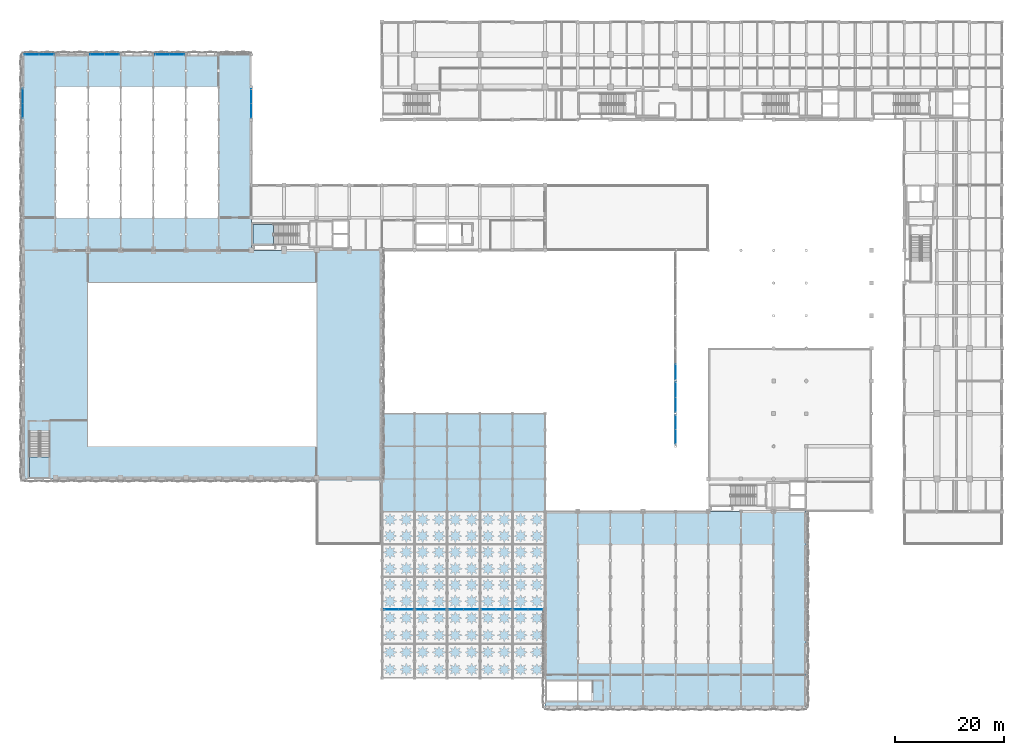
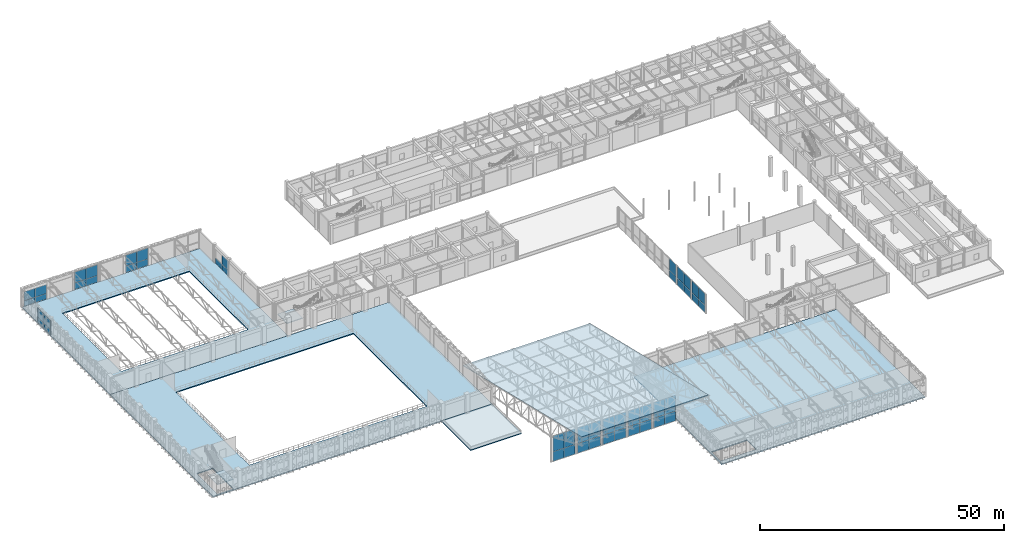
# One storey, part 87 of 123: 49 plates, 7 slabs, 15 elements without a shape of their own.
"""IFC4 building model written with IfcOpenShell, lengths in metres."""

import ifcopenshell
import ifcopenshell.guid

model = None  # the IFC model being written
_history = None  # IfcOwnerHistory: only IFC2X3 demands one
_inside = {}  # id of a spatial element -> (the spatial element, [elements in it])
_under = {}  # id of a project, library or spatial element -> (it, [spatial elements below it])
_declared = {}  # id of a project -> (the project, [libraries it declares])
_typed = {}  # id of a type object -> (the type object, [elements of that type])
_made_of = {}  # id of a material, layer set ... -> (it, [elements and type objects made of it])


def new_model(schema):
    """Start an empty IFC model of exactly this schema.

    Asked for "IFC4X3", IfcOpenShell would pick the latest addendum, in which some entities
    have other attributes; the version numbers below select the first issue.
    IFC2X3 requires an IfcOwnerHistory on every rooted entity: one is made here for all.
    """
    global model, _history
    if schema == "IFC4X3":
        model = ifcopenshell.file(schema_version=(4, 3, 0, 0))
    else:
        model = ifcopenshell.file(schema=schema)
    _inside.clear()
    _under.clear()
    _declared.clear()
    _typed.clear()
    _made_of.clear()
    _history = None
    if model.schema == "IFC2X3":
        org = make("IfcOrganization", Name="unknown")
        user = make(
            "IfcPersonAndOrganization",
            ThePerson=make("IfcPerson", FamilyName="unknown"),
            TheOrganization=org,
        )
        app = make(
            "IfcApplication",
            ApplicationDeveloper=org,
            Version="unknown",
            ApplicationFullName="unknown",
            ApplicationIdentifier="unknown",
        )
        _history = make(
            "IfcOwnerHistory",
            OwningUser=user,
            OwningApplication=app,
            ChangeAction="ADDED",
            CreationDate=0,
        )
    return model


def make(cls, **values):
    """One entity of the class cls with the attributes given. An attribute that is None is left unset."""
    return model.create_entity(
        cls, **{name: value for name, value in values.items() if value is not None}
    )


def rooted(cls, **values):
    """An entity with a GlobalId (a new one), such as an element, a storey or a relation."""
    return make(cls, GlobalId=ifcopenshell.guid.new(), OwnerHistory=_history, **values)


def si_unit(unit_type, name, prefix=None):
    """IfcSIUnit, for example si_unit("LENGTHUNIT", "METRE", prefix="MILLI")."""
    return make("IfcSIUnit", UnitType=unit_type, Prefix=prefix, Name=name)


def assignment(units):
    """IfcUnitAssignment: the units of a project."""
    return None if units is None else make("IfcUnitAssignment", Units=units)


def point(xyz):
    """IfcCartesianPoint."""
    return None if xyz is None else make("IfcCartesianPoint", Coordinates=xyz)


def direction(xyz):
    """IfcDirection."""
    return None if xyz is None else make("IfcDirection", DirectionRatios=xyz)


def frame(location, z_axis=None, x_axis=None):
    """IfcAxis2Placement3D, a coordinate frame: its origin and axes. An axis left out is left unset."""
    return make(
        "IfcAxis2Placement3D",
        Location=point(location),
        Axis=direction(z_axis),
        RefDirection=direction(x_axis),
    )


def frame_2d(location, x_axis=None):
    """IfcAxis2Placement2D, a coordinate frame in the plane: its origin and x axis."""
    return make(
        "IfcAxis2Placement2D", Location=point(location), RefDirection=direction(x_axis)
    )


def origin():
    """The frame at (0, 0, 0) with its axes left unset."""
    return frame((0.0, 0.0, 0.0))


def place(relative_to, where):
    """IfcLocalPlacement: puts the frame where relative to a parent placement (None: the world)."""
    return make(
        "IfcLocalPlacement", PlacementRelTo=relative_to, RelativePlacement=where
    )


def context(
    kind, dimensions, precision=None, world=None, true_north=None, identifier=None
):
    """IfcGeometricRepresentationContext, for example the 3D "Model" context."""
    return make(
        "IfcGeometricRepresentationContext",
        ContextIdentifier=identifier,
        ContextType=kind,
        CoordinateSpaceDimension=dimensions,
        Precision=precision,
        WorldCoordinateSystem=world,
        TrueNorth=true_north,
    )


def subcontext(parent, identifier, kind, view, scale=None):
    """IfcGeometricRepresentationSubContext, for example "Body" below "Model"."""
    return make(
        "IfcGeometricRepresentationSubContext",
        ContextIdentifier=identifier,
        ContextType=kind,
        ParentContext=parent,
        TargetScale=scale,
        TargetView=view,
    )


def project(units=None, contexts=None):
    """IfcProject with its units and contexts."""
    return rooted(
        "IfcProject",
        Name="project",
        RepresentationContexts=contexts,
        UnitsInContext=assignment(units),
    )


def spatial(cls, under=None, at=None, **own):
    """A site, building, storey or space (cls), placed at a placement, below another one or the project."""
    s = rooted(cls, ObjectPlacement=at, **own)
    if under is not None:
        _under.setdefault(under.id(), (under, []))[1].append(s)
    return s


def polyline(points):
    """IfcPolyline through the points."""
    return make("IfcPolyline", Points=[point(p) for p in points])


def profile(cls, at=None, kind="AREA", **sizes):
    """A parametric profile (cls). Its sizes go by their IFC names, for example OverallWidth=200.0."""
    return make(cls, ProfileType=kind, Position=at, **sizes)


def rectangle(**sizes):
    """IfcRectangleProfileDef."""
    return profile("IfcRectangleProfileDef", **sizes)


def outline(outer, holes=None, kind="AREA"):
    """IfcArbitraryClosedProfileDef: a profile drawn as a closed curve; with holes, ...WithVoids."""
    if holes is None:
        return make("IfcArbitraryClosedProfileDef", ProfileType=kind, OuterCurve=outer)
    return make(
        "IfcArbitraryProfileDefWithVoids",
        ProfileType=kind,
        OuterCurve=outer,
        InnerCurves=holes,
    )


def extrude(swept, where, along, depth):
    """IfcExtrudedAreaSolid: the profile swept, set in the frame where, extruded along a direction by depth."""
    return make(
        "IfcExtrudedAreaSolid",
        SweptArea=swept,
        Position=where,
        ExtrudedDirection=direction(along),
        Depth=depth,
    )


def shape(context_of_items, identifier, shape_type, items):
    """IfcShapeRepresentation: the items that make up one representation, for example the "Body"."""
    return make(
        "IfcShapeRepresentation",
        ContextOfItems=context_of_items,
        RepresentationIdentifier=identifier,
        RepresentationType=shape_type,
        Items=items,
    )


def material(Name=None, Category=None):
    """IfcMaterial."""
    return make("IfcMaterial", Name=Name, Category=Category)


def layer(
    of_material, thickness, ventilated=None, Name=None, Category=None, Priority=None
):
    """IfcMaterialLayer: one layer of a wall or slab, of a material (None: an air gap)."""
    return make(
        "IfcMaterialLayer",
        Material=of_material,
        LayerThickness=thickness,
        IsVentilated=ventilated,
        Name=Name,
        Category=Category,
        Priority=Priority,
    )


def layer_set(layers, Name=None):
    """IfcMaterialLayerSet."""
    return make("IfcMaterialLayerSet", MaterialLayers=layers, LayerSetName=Name)


def made_of(thing, what):
    """Note that an element or type object is made of a material, layer set ...; save() writes the relation."""
    if what is not None:
        _made_of.setdefault(what.id(), (what, []))[1].append(thing)
    return thing


def type_object(cls, material=None, **own):
    """A type object (cls), such as IfcWallType, which elements share."""
    return made_of(rooted(cls, **own), material)


def element(
    cls,
    number,
    at=None,
    inside=None,
    cuts=None,
    type_object=None,
    material=None,
    context=None,
    identifier="Body",
    shape_type=None,
    held_by="IfcProductDefinitionShape",
    body=None,
    shapes=None,
    **own,
):
    """One element of the class cls, such as IfcWall. Its Tag is "e" and its number.

    at: its placement. inside: the storey or other place that contains it. cuts: it is an
    opening in that element (IfcRelVoidsElement). A single representation is given by context,
    identifier, shape_type and body (its items); several are given by shapes. held_by: the class
    of the entity that holds the representations. save() writes the other relations.
    """
    e = rooted(cls, Tag="e%d" % number, ObjectPlacement=at, **own)
    if body is not None:
        shapes = [shape(context, identifier, shape_type, body)]
    if shapes is not None:
        e.Representation = make(held_by, Representations=shapes)
    if inside is not None:
        _inside.setdefault(inside.id(), (inside, []))[1].append(e)
    if cuts is not None:
        rooted(
            "IfcRelVoidsElement", RelatingBuildingElement=cuts, RelatedOpeningElement=e
        )
    if type_object is not None:
        _typed.setdefault(type_object.id(), (type_object, []))[1].append(e)
    return made_of(e, material)


def aggregate(whole, parts):
    """IfcRelAggregates: a whole, such as a stair, and the parts it consists of."""
    return rooted("IfcRelAggregates", RelatingObject=whole, RelatedObjects=parts)


def save(model, path):
    """Write the relations noted so far, then the file.

    IfcRelAggregates (storeys below a building ...), IfcRelContainedInSpatialStructure (elements
    in a storey), IfcRelDefinesByType, IfcRelAssociatesMaterial and IfcRelDeclares: one each for
    every whole, place, type object, material and project.
    """
    for whole, parts in _under.values():
        aggregate(whole, parts)
    for where, things in _inside.values():
        rooted(
            "IfcRelContainedInSpatialStructure",
            RelatedElements=things,
            RelatingStructure=where,
        )
    for kind, things in _typed.values():
        rooted("IfcRelDefinesByType", RelatedObjects=things, RelatingType=kind)
    for what, things in _made_of.values():
        rooted("IfcRelAssociatesMaterial", RelatedObjects=things, RelatingMaterial=what)
    for by, libraries in _declared.values():
        rooted("IfcRelDeclares", RelatingContext=by, RelatedDefinitions=libraries)
    model.write(path)


model = new_model("IFC4")

# Units and contexts
model_context = context("Model", 3, precision=1e-05, world=origin(), true_north=direction((0.0, 1.0)))
body_context = subcontext(model_context, "Body", "Model", "MODEL_VIEW")
ifc_project = project(units=[si_unit("LENGTHUNIT", "METRE"), si_unit("AREAUNIT", "SQUARE_METRE"), si_unit("VOLUMEUNIT", "CUBIC_METRE"), si_unit("PLANEANGLEUNIT", "RADIAN"), si_unit("MASSUNIT", "GRAM", prefix="KILO"), si_unit("THERMODYNAMICTEMPERATUREUNIT", "KELVIN"), si_unit("POWERUNIT", "WATT")], contexts=[model_context])

# Site, building, storey
site_placement = place(None, origin())
site = spatial("IfcSite", under=ifc_project, at=site_placement, CompositionType="ELEMENT")
building_placement = place(site_placement, origin())
building = spatial("IfcBuilding", under=site, at=building_placement, Name="Phaisarnlok Congress Hotel", CompositionType="ELEMENT")
storey_placement = place(building_placement, frame((0.0, 0.0, 15.0)))
storey = spatial("IfcBuildingStorey", under=building, at=storey_placement, Name="L03", CompositionType="ELEMENT", Elevation=15.0)

# Curtain wall, plates
ifc_material_1 = material(Name="Thermally Broken Unitised Aluminium & Low-E Glazing", Category="aluminium")
curtain_wall_type_1 = type_object("IfcCurtainWallType", Name="CW-UNIT-27", PredefinedType="NOTDEFINED", material=ifc_material_1)
curtain_wall_1_placement = place(storey_placement, origin())
curtain_wall_1 = element("IfcCurtainWall", 1, at=curtain_wall_1_placement, inside=storey, type_object=curtain_wall_type_1, Name="Unitised curtain wall CW-27 (L03)", PredefinedType="NOTDEFINED")
ifc_material_2 = material(Name="Double Low-E Insulated Glazing", Category="glass")
ifc_layer_1 = layer(ifc_material_2, 0.028076171875, Name="Double Low-E Insulated Glazing")
ifc_layer_set_1 = layer_set([ifc_layer_1], Name="Double Low-E Insulated Glazing")
plate_type_1 = type_object("IfcPlateType", Name="CWP-GLZ-28", PredefinedType="CURTAIN_PANEL", material=ifc_layer_set_1)
plate_1_placement = place(storey_placement, frame((42.0, 108.35009765625, 0.0400390625), z_axis=(0.0, 0.0, 1.0), x_axis=(0.0, 1.0, 0.0)))
plate_1 = element("IfcPlate", 2, at=plate_1_placement, type_object=plate_type_1, Name="Glazed curtain panel CWP-01", PredefinedType="CURTAIN_PANEL", context=body_context, shape_type="SweptSolid", body=[
    extrude(rectangle(XDim=2.622314453125, YDim=0.028076171875, at=frame_2d((1.31103515625, 0.0))), origin(), (0.0, 0.0, 1.0), 1.421142578125),
])
plate_2_placement = place(storey_placement, frame((42.0, 108.35009765625, 1.461181640625), z_axis=(0.0, 0.0, 1.0), x_axis=(0.0, 1.0, 0.0)))
plate_2 = element("IfcPlate", 3, at=plate_2_placement, type_object=plate_type_1, Name="Glazed curtain panel CWP-01", PredefinedType="CURTAIN_PANEL", context=body_context, shape_type="SweptSolid", body=[
    extrude(rectangle(XDim=2.622314453125, YDim=0.028076171875, at=frame_2d((1.31103515625, 0.0))), origin(), (0.0, 0.0, 1.0), 2.34375),
])
plate_3_placement = place(storey_placement, frame((42.0, 111.00244140625, 0.0400390625), z_axis=(0.0, 0.0, 1.0), x_axis=(0.0, 1.0, 0.0)))
plate_3 = element("IfcPlate", 4, at=plate_3_placement, type_object=plate_type_1, Name="Glazed curtain panel CWP-01", PredefinedType="CURTAIN_PANEL", context=body_context, shape_type="SweptSolid", body=[
    extrude(rectangle(XDim=2.62255859375, YDim=0.028076171875, at=frame_2d((1.311279296875, 0.0))), origin(), (0.0, 0.0, 1.0), 1.421142578125),
])
aggregate(curtain_wall_1, [plate_1, plate_2, plate_3])

curtain_wall_type_2 = type_object("IfcCurtainWallType", Name="CW-UNIT-29", PredefinedType="NOTDEFINED", material=ifc_material_1)
curtain_wall_2_placement = place(storey_placement, origin())
curtain_wall_2 = element("IfcCurtainWall", 5, at=curtain_wall_2_placement, inside=storey, type_object=curtain_wall_type_2, Name="Unitised curtain wall CW-29 (L03)", PredefinedType="NOTDEFINED")
plate_4_placement = place(storey_placement, frame((29.64990234375, 120.0, 0.0400390625), z_axis=(0.0, 0.0, 1.0), x_axis=(-1.0, 0.0, 0.0)))
plate_4 = element("IfcPlate", 6, at=plate_4_placement, type_object=plate_type_1, Name="Glazed curtain panel CWP-01", PredefinedType="CURTAIN_PANEL", context=body_context, shape_type="SweptSolid", body=[
    extrude(rectangle(XDim=2.622314453125, YDim=0.028076171875, at=frame_2d((1.31103515625, 0.0))), origin(), (0.0, 0.0, 1.0), 1.65087890625),
])
plate_5_placement = place(storey_placement, frame((29.64990234375, 120.0, 1.69091796875), z_axis=(0.0, 0.0, 1.0), x_axis=(-1.0, 0.0, 0.0)))
plate_5 = element("IfcPlate", 7, at=plate_5_placement, type_object=plate_type_1, Name="Glazed curtain panel CWP-01", PredefinedType="CURTAIN_PANEL", context=body_context, shape_type="SweptSolid", body=[
    extrude(rectangle(XDim=2.622314453125, YDim=0.028076171875, at=frame_2d((1.31103515625, 0.0))), origin(), (0.0, 0.0, 1.0), 2.718994140625),
])
plate_6_placement = place(storey_placement, frame((26.99755859375, 120.0, 0.0400390625), z_axis=(0.0, 0.0, 1.0), x_axis=(-1.0, 0.0, 0.0)))
plate_6 = element("IfcPlate", 8, at=plate_6_placement, type_object=plate_type_1, Name="Glazed curtain panel CWP-01", PredefinedType="CURTAIN_PANEL", context=body_context, shape_type="SweptSolid", body=[
    extrude(rectangle(XDim=2.62255859375, YDim=0.028076171875, at=frame_2d((1.311279296875, 0.0))), origin(), (0.0, 0.0, 1.0), 1.65087890625),
])
plate_7_placement = place(storey_placement, frame((26.99755859375, 120.0, 1.69091796875), z_axis=(0.0, 0.0, 1.0), x_axis=(-1.0, 0.0, 0.0)))
plate_7 = element("IfcPlate", 9, at=plate_7_placement, type_object=plate_type_1, Name="Glazed curtain panel CWP-01", PredefinedType="CURTAIN_PANEL", context=body_context, shape_type="SweptSolid", body=[
    extrude(rectangle(XDim=2.62255859375, YDim=0.028076171875, at=frame_2d((1.311279296875, 0.0))), origin(), (0.0, 0.0, 1.0), 2.718994140625),
])
aggregate(curtain_wall_2, [plate_4, plate_5, plate_6, plate_7])

curtain_wall_type_3 = type_object("IfcCurtainWallType", Name="CW-UNIT-28", PredefinedType="NOTDEFINED", material=ifc_material_1)
curtain_wall_3_placement = place(storey_placement, origin())
curtain_wall_3 = element("IfcCurtainWall", 10, at=curtain_wall_3_placement, inside=storey, type_object=curtain_wall_type_3, Name="Unitised curtain wall CW-28 (L03)", PredefinedType="NOTDEFINED")
plate_8_placement = place(storey_placement, frame((17.720947265625, 120.0, 0.0400390625), z_axis=(0.0, 0.0, 1.0), x_axis=(-1.0, 0.0, 0.0)))
plate_8 = element("IfcPlate", 11, at=plate_8_placement, type_object=plate_type_1, Name="Glazed curtain panel CWP-01", PredefinedType="CURTAIN_PANEL", context=body_context, shape_type="SweptSolid", body=[
    extrude(rectangle(XDim=2.657958984375, YDim=0.028076171875, at=frame_2d((1.3291015625, 0.0))), origin(), (0.0, 0.0, 1.0), 1.65087890625),
])
plate_9_placement = place(storey_placement, frame((17.720947265625, 120.0, 1.69091796875), z_axis=(0.0, 0.0, 1.0), x_axis=(-1.0, 0.0, 0.0)))
plate_9 = element("IfcPlate", 12, at=plate_9_placement, type_object=plate_type_1, Name="Glazed curtain panel CWP-01", PredefinedType="CURTAIN_PANEL", context=body_context, shape_type="SweptSolid", body=[
    extrude(rectangle(XDim=2.657958984375, YDim=0.028076171875, at=frame_2d((1.3291015625, 0.0))), origin(), (0.0, 0.0, 1.0), 2.718994140625),
])
plate_10_placement = place(storey_placement, frame((15.032958984375, 120.0, 0.0400390625), z_axis=(0.0, 0.0, 1.0), x_axis=(-1.0, 0.0, 0.0)))
plate_10 = element("IfcPlate", 13, at=plate_10_placement, type_object=plate_type_1, Name="Glazed curtain panel CWP-01", PredefinedType="CURTAIN_PANEL", context=body_context, shape_type="SweptSolid", body=[
    extrude(rectangle(XDim=2.657958984375, YDim=0.028076171875, at=frame_2d((1.3291015625, 0.0))), origin(), (0.0, 0.0, 1.0), 1.65087890625),
])
plate_11_placement = place(storey_placement, frame((15.032958984375, 120.0, 1.69091796875), z_axis=(0.0, 0.0, 1.0), x_axis=(-1.0, 0.0, 0.0)))
plate_11 = element("IfcPlate", 14, at=plate_11_placement, type_object=plate_type_1, Name="Glazed curtain panel CWP-01", PredefinedType="CURTAIN_PANEL", context=body_context, shape_type="SweptSolid", body=[
    extrude(rectangle(XDim=2.657958984375, YDim=0.028076171875, at=frame_2d((1.3291015625, 0.0))), origin(), (0.0, 0.0, 1.0), 2.718994140625),
])
aggregate(curtain_wall_3, [plate_8, plate_9, plate_10, plate_11])

curtain_wall_type_4 = type_object("IfcCurtainWallType", Name="CW-UNIT-30", PredefinedType="NOTDEFINED", material=ifc_material_1)
curtain_wall_4_placement = place(storey_placement, origin())
curtain_wall_4 = element("IfcCurtainWall", 15, at=curtain_wall_4_placement, inside=storey, type_object=curtain_wall_type_4, Name="Unitised curtain wall CW-30 (L03)", PredefinedType="NOTDEFINED")
plate_12_placement = place(storey_placement, frame((5.64990234375, 120.0, 0.0400390625), z_axis=(0.0, 0.0, 1.0), x_axis=(-1.0, 0.0, 0.0)))
plate_12 = element("IfcPlate", 16, at=plate_12_placement, type_object=plate_type_1, Name="Glazed curtain panel CWP-01", PredefinedType="CURTAIN_PANEL", context=body_context, shape_type="SweptSolid", body=[
    extrude(rectangle(XDim=2.622314453125, YDim=0.028076171875, at=frame_2d((1.31103515625, 0.0))), origin(), (0.0, 0.0, 1.0), 1.365966796875),
])
plate_13_placement = place(storey_placement, frame((5.64990234375, 120.0, 1.406005859375), z_axis=(0.0, 0.0, 1.0), x_axis=(-1.0, 0.0, 0.0)))
plate_13 = element("IfcPlate", 17, at=plate_13_placement, type_object=plate_type_1, Name="Glazed curtain panel CWP-01", PredefinedType="CURTAIN_PANEL", context=body_context, shape_type="SweptSolid", body=[
    extrude(rectangle(XDim=2.622314453125, YDim=0.028076171875, at=frame_2d((1.31103515625, 0.0))), origin(), (0.0, 0.0, 1.0), 2.25390625),
])
plate_14_placement = place(storey_placement, frame((2.99755859375, 120.0, 0.0400390625), z_axis=(0.0, 0.0, 1.0), x_axis=(-1.0, 0.0, 0.0)))
plate_14 = element("IfcPlate", 18, at=plate_14_placement, type_object=plate_type_1, Name="Glazed curtain panel CWP-01", PredefinedType="CURTAIN_PANEL", context=body_context, shape_type="SweptSolid", body=[
    extrude(rectangle(XDim=2.62255859375, YDim=0.028076171875, at=frame_2d((1.311279296875, 0.0))), origin(), (0.0, 0.0, 1.0), 1.365966796875),
])
plate_15_placement = place(storey_placement, frame((2.99755859375, 120.0, 1.406005859375), z_axis=(0.0, 0.0, 1.0), x_axis=(-1.0, 0.0, 0.0)))
plate_15 = element("IfcPlate", 19, at=plate_15_placement, type_object=plate_type_1, Name="Glazed curtain panel CWP-01", PredefinedType="CURTAIN_PANEL", context=body_context, shape_type="SweptSolid", body=[
    extrude(rectangle(XDim=2.62255859375, YDim=0.028076171875, at=frame_2d((1.311279296875, 0.0))), origin(), (0.0, 0.0, 1.0), 2.25390625),
])
aggregate(curtain_wall_4, [plate_12, plate_13, plate_14, plate_15])

curtain_wall_type_5 = type_object("IfcCurtainWallType", Name="CW-UNIT-31", PredefinedType="NOTDEFINED", material=ifc_material_1)
curtain_wall_5_placement = place(storey_placement, origin())
curtain_wall_5 = element("IfcCurtainWall", 20, at=curtain_wall_5_placement, inside=storey, type_object=curtain_wall_type_5, Name="Unitised curtain wall CW-31 (L03)", PredefinedType="NOTDEFINED")
plate_16_placement = place(storey_placement, frame((0.0, 113.720947265625, 0.0400390625), z_axis=(0.0, 0.0, 1.0), x_axis=(0.0, -1.0, 0.0)))
plate_16 = element("IfcPlate", 21, at=plate_16_placement, type_object=plate_type_1, Name="Glazed curtain panel CWP-01", PredefinedType="CURTAIN_PANEL", context=body_context, shape_type="SweptSolid", body=[
    extrude(rectangle(XDim=2.657958984375, YDim=0.028076171875, at=frame_2d((1.3291015625, 0.0))), origin(), (0.0, 0.0, 1.0), 1.365966796875),
])
plate_17_placement = place(storey_placement, frame((0.0, 113.720947265625, 1.406005859375), z_axis=(0.0, 0.0, 1.0), x_axis=(0.0, -1.0, 0.0)))
plate_17 = element("IfcPlate", 22, at=plate_17_placement, type_object=plate_type_1, Name="Glazed curtain panel CWP-01", PredefinedType="CURTAIN_PANEL", context=body_context, shape_type="SweptSolid", body=[
    extrude(rectangle(XDim=2.657958984375, YDim=0.028076171875, at=frame_2d((1.3291015625, 0.0))), origin(), (0.0, 0.0, 1.0), 2.25390625),
])
plate_18_placement = place(storey_placement, frame((0.0, 111.032958984375, 0.0400390625), z_axis=(0.0, 0.0, 1.0), x_axis=(0.0, -1.0, 0.0)))
plate_18 = element("IfcPlate", 23, at=plate_18_placement, type_object=plate_type_1, Name="Glazed curtain panel CWP-01", PredefinedType="CURTAIN_PANEL", context=body_context, shape_type="SweptSolid", body=[
    extrude(rectangle(XDim=2.657958984375, YDim=0.028076171875, at=frame_2d((1.3291015625, 0.0))), origin(), (0.0, 0.0, 1.0), 1.365966796875),
])
plate_19_placement = place(storey_placement, frame((0.0, 111.032958984375, 1.406005859375), z_axis=(0.0, 0.0, 1.0), x_axis=(0.0, -1.0, 0.0)))
plate_19 = element("IfcPlate", 24, at=plate_19_placement, type_object=plate_type_1, Name="Glazed curtain panel CWP-01", PredefinedType="CURTAIN_PANEL", context=body_context, shape_type="SweptSolid", body=[
    extrude(rectangle(XDim=2.657958984375, YDim=0.028076171875, at=frame_2d((1.3291015625, 0.0))), origin(), (0.0, 0.0, 1.0), 2.25390625),
])
aggregate(curtain_wall_5, [plate_16, plate_17, plate_18, plate_19])

curtain_wall_type_6 = type_object("IfcCurtainWallType", Name="CW-UNIT-42", PredefinedType="NOTDEFINED", material=ifc_material_1)
curtain_wall_6_placement = place(storey_placement, origin())
curtain_wall_6 = element("IfcCurtainWall", 25, at=curtain_wall_6_placement, inside=storey, type_object=curtain_wall_type_6, Name="Unitised curtain wall CW-42 (L03)", PredefinedType="NOTDEFINED")
ifc_material_3 = material(Name="Triple Acoustic Solar-Control Glazing", Category="glass")
ifc_layer_2 = layer(ifc_material_3, 0.035888671875, Name="Triple Acoustic Solar-Control Glazing")
ifc_layer_set_2 = layer_set([ifc_layer_2], Name="Triple Acoustic Solar-Control Glazing")
plate_type_2 = type_object("IfcPlateType", Name="CWP-GLZ-36", PredefinedType="CURTAIN_PANEL", material=ifc_layer_set_2)
plate_20_placement = place(storey_placement, frame((66.47998046875, 18.0, 0.030029296875), z_axis=(0.0, 0.0, 1.0), x_axis=(1.0, 0.0, 0.0)))
plate_20 = element("IfcPlate", 26, at=plate_20_placement, type_object=plate_type_2, Name="Glazed curtain panel CWP-02", PredefinedType="CURTAIN_PANEL", context=body_context, shape_type="SweptSolid", body=[
    extrude(rectangle(XDim=2.614990234375, YDim=0.028076171875, at=frame_2d((1.3076171875, 0.0))), origin(), (0.0, 0.0, 1.0), 2.4033203125),
])
plate_21_placement = place(storey_placement, frame((66.47998046875, 18.0, 2.433349609375), z_axis=(0.0, 0.0, 1.0), x_axis=(1.0, 0.0, 0.0)))
plate_21 = element("IfcPlate", 27, at=plate_21_placement, type_object=plate_type_2, Name="Glazed curtain panel CWP-02", PredefinedType="CURTAIN_PANEL", context=body_context, shape_type="SweptSolid", body=[
    extrude(rectangle(XDim=2.614990234375, YDim=0.028076171875, at=frame_2d((1.3076171875, 0.0))), origin(), (0.0, 0.0, 1.0), 3.946533203125),
])
plate_22_placement = place(storey_placement, frame((69.125, 18.0, 0.030029296875), z_axis=(0.0, 0.0, 1.0), x_axis=(1.0, 0.0, 0.0)))
plate_22 = element("IfcPlate", 28, at=plate_22_placement, type_object=plate_type_2, Name="Glazed curtain panel CWP-02", PredefinedType="CURTAIN_PANEL", context=body_context, shape_type="SweptSolid", body=[
    extrude(rectangle(XDim=2.614990234375, YDim=0.028076171875, at=frame_2d((1.3076171875, 0.0))), origin(), (0.0, 0.0, 1.0), 2.4033203125),
])
plate_23_placement = place(storey_placement, frame((69.125, 18.0, 2.433349609375), z_axis=(0.0, 0.0, 1.0), x_axis=(1.0, 0.0, 0.0)))
plate_23 = element("IfcPlate", 29, at=plate_23_placement, type_object=plate_type_2, Name="Glazed curtain panel CWP-02", PredefinedType="CURTAIN_PANEL", context=body_context, shape_type="SweptSolid", body=[
    extrude(rectangle(XDim=2.614990234375, YDim=0.028076171875, at=frame_2d((1.3076171875, 0.0))), origin(), (0.0, 0.0, 1.0), 3.946533203125),
])
aggregate(curtain_wall_6, [plate_20, plate_21, plate_22, plate_23])

curtain_wall_type_7 = type_object("IfcCurtainWallType", Name="CW-UNIT-45", PredefinedType="NOTDEFINED", material=ifc_material_1)
curtain_wall_7_placement = place(storey_placement, origin())
curtain_wall_7 = element("IfcCurtainWall", 30, at=curtain_wall_7_placement, inside=storey, type_object=curtain_wall_type_7, Name="Unitised curtain wall CW-45 (L03)", PredefinedType="NOTDEFINED")
plate_24_placement = place(storey_placement, frame((72.260009765625, 18.0, 0.030029296875), z_axis=(0.0, 0.0, 1.0), x_axis=(1.0, 0.0, 0.0)))
plate_24 = element("IfcPlate", 31, at=plate_24_placement, type_object=plate_type_2, Name="Glazed curtain panel CWP-02", PredefinedType="CURTAIN_PANEL", context=body_context, shape_type="SweptSolid", body=[
    extrude(rectangle(XDim=2.72509765625, YDim=0.028076171875, at=frame_2d((1.362548828125, 0.0))), origin(), (0.0, 0.0, 1.0), 2.4033203125),
])
plate_25_placement = place(storey_placement, frame((72.260009765625, 18.0, 2.433349609375), z_axis=(0.0, 0.0, 1.0), x_axis=(1.0, 0.0, 0.0)))
plate_25 = element("IfcPlate", 32, at=plate_25_placement, type_object=plate_type_2, Name="Glazed curtain panel CWP-02", PredefinedType="CURTAIN_PANEL", context=body_context, shape_type="SweptSolid", body=[
    extrude(rectangle(XDim=2.72509765625, YDim=0.028076171875, at=frame_2d((1.362548828125, 0.0))), origin(), (0.0, 0.0, 1.0), 3.946533203125),
])
plate_26_placement = place(storey_placement, frame((75.014892578125, 18.0, 0.030029296875), z_axis=(0.0, 0.0, 1.0), x_axis=(1.0, 0.0, 0.0)))
plate_26 = element("IfcPlate", 33, at=plate_26_placement, type_object=plate_type_2, Name="Glazed curtain panel CWP-02", PredefinedType="CURTAIN_PANEL", context=body_context, shape_type="SweptSolid", body=[
    extrude(rectangle(XDim=2.72509765625, YDim=0.028076171875, at=frame_2d((1.362548828125, 0.0))), origin(), (0.0, 0.0, 1.0), 2.4033203125),
])
plate_27_placement = place(storey_placement, frame((75.014892578125, 18.0, 2.433349609375), z_axis=(0.0, 0.0, 1.0), x_axis=(1.0, 0.0, 0.0)))
plate_27 = element("IfcPlate", 34, at=plate_27_placement, type_object=plate_type_2, Name="Glazed curtain panel CWP-02", PredefinedType="CURTAIN_PANEL", context=body_context, shape_type="SweptSolid", body=[
    extrude(rectangle(XDim=2.72509765625, YDim=0.028076171875, at=frame_2d((1.362548828125, 0.0))), origin(), (0.0, 0.0, 1.0), 3.946533203125),
])
aggregate(curtain_wall_7, [plate_24, plate_25, plate_26, plate_27])

curtain_wall_8_placement = place(storey_placement, origin())
curtain_wall_8 = element("IfcCurtainWall", 35, at=curtain_wall_8_placement, inside=storey, type_object=curtain_wall_type_7, Name="Unitised curtain wall CW-45 (L03)", PredefinedType="NOTDEFINED")
plate_28_placement = place(storey_placement, frame((78.260009765625, 18.0, 0.030029296875), z_axis=(0.0, 0.0, 1.0), x_axis=(1.0, 0.0, 0.0)))
plate_28 = element("IfcPlate", 36, at=plate_28_placement, type_object=plate_type_2, Name="Glazed curtain panel CWP-02", PredefinedType="CURTAIN_PANEL", context=body_context, shape_type="SweptSolid", body=[
    extrude(rectangle(XDim=2.72509765625, YDim=0.028076171875, at=frame_2d((1.362548828125, 0.0))), origin(), (0.0, 0.0, 1.0), 2.4033203125),
])
plate_29_placement = place(storey_placement, frame((78.260009765625, 18.0, 2.433349609375), z_axis=(0.0, 0.0, 1.0), x_axis=(1.0, 0.0, 0.0)))
plate_29 = element("IfcPlate", 37, at=plate_29_placement, type_object=plate_type_2, Name="Glazed curtain panel CWP-02", PredefinedType="CURTAIN_PANEL", context=body_context, shape_type="SweptSolid", body=[
    extrude(rectangle(XDim=2.72509765625, YDim=0.028076171875, at=frame_2d((1.362548828125, 0.0))), origin(), (0.0, 0.0, 1.0), 3.946533203125),
])
plate_30_placement = place(storey_placement, frame((81.014892578125, 18.0, 0.030029296875), z_axis=(0.0, 0.0, 1.0), x_axis=(1.0, 0.0, 0.0)))
plate_30 = element("IfcPlate", 38, at=plate_30_placement, type_object=plate_type_2, Name="Glazed curtain panel CWP-02", PredefinedType="CURTAIN_PANEL", context=body_context, shape_type="SweptSolid", body=[
    extrude(rectangle(XDim=2.72509765625, YDim=0.028076171875, at=frame_2d((1.362548828125, 0.0))), origin(), (0.0, 0.0, 1.0), 2.4033203125),
])
plate_31_placement = place(storey_placement, frame((81.014892578125, 18.0, 2.433349609375), z_axis=(0.0, 0.0, 1.0), x_axis=(1.0, 0.0, 0.0)))
plate_31 = element("IfcPlate", 39, at=plate_31_placement, type_object=plate_type_2, Name="Glazed curtain panel CWP-02", PredefinedType="CURTAIN_PANEL", context=body_context, shape_type="SweptSolid", body=[
    extrude(rectangle(XDim=2.72509765625, YDim=0.028076171875, at=frame_2d((1.362548828125, 0.0))), origin(), (0.0, 0.0, 1.0), 3.946533203125),
])
aggregate(curtain_wall_8, [plate_28, plate_29, plate_30, plate_31])

curtain_wall_9_placement = place(storey_placement, origin())
curtain_wall_9 = element("IfcCurtainWall", 40, at=curtain_wall_9_placement, inside=storey, type_object=curtain_wall_type_7, Name="Unitised curtain wall CW-45 (L03)", PredefinedType="NOTDEFINED")
plate_32_placement = place(storey_placement, frame((84.260009765625, 18.0, 0.030029296875), z_axis=(0.0, 0.0, 1.0), x_axis=(1.0, 0.0, 0.0)))
plate_32 = element("IfcPlate", 41, at=plate_32_placement, type_object=plate_type_2, Name="Glazed curtain panel CWP-02", PredefinedType="CURTAIN_PANEL", context=body_context, shape_type="SweptSolid", body=[
    extrude(rectangle(XDim=2.72509765625, YDim=0.028076171875, at=frame_2d((1.362548828125, 0.0))), origin(), (0.0, 0.0, 1.0), 2.4033203125),
])
plate_33_placement = place(storey_placement, frame((84.260009765625, 18.0, 2.433349609375), z_axis=(0.0, 0.0, 1.0), x_axis=(1.0, 0.0, 0.0)))
plate_33 = element("IfcPlate", 42, at=plate_33_placement, type_object=plate_type_2, Name="Glazed curtain panel CWP-02", PredefinedType="CURTAIN_PANEL", context=body_context, shape_type="SweptSolid", body=[
    extrude(rectangle(XDim=2.72509765625, YDim=0.028076171875, at=frame_2d((1.362548828125, 0.0))), origin(), (0.0, 0.0, 1.0), 3.946533203125),
])
plate_34_placement = place(storey_placement, frame((87.014892578125, 18.0, 0.030029296875), z_axis=(0.0, 0.0, 1.0), x_axis=(1.0, 0.0, 0.0)))
plate_34 = element("IfcPlate", 43, at=plate_34_placement, type_object=plate_type_2, Name="Glazed curtain panel CWP-02", PredefinedType="CURTAIN_PANEL", context=body_context, shape_type="SweptSolid", body=[
    extrude(rectangle(XDim=2.72509765625, YDim=0.028076171875, at=frame_2d((1.362548828125, 0.0))), origin(), (0.0, 0.0, 1.0), 2.4033203125),
])
plate_35_placement = place(storey_placement, frame((87.014892578125, 18.0, 2.433349609375), z_axis=(0.0, 0.0, 1.0), x_axis=(1.0, 0.0, 0.0)))
plate_35 = element("IfcPlate", 44, at=plate_35_placement, type_object=plate_type_2, Name="Glazed curtain panel CWP-02", PredefinedType="CURTAIN_PANEL", context=body_context, shape_type="SweptSolid", body=[
    extrude(rectangle(XDim=2.72509765625, YDim=0.028076171875, at=frame_2d((1.362548828125, 0.0))), origin(), (0.0, 0.0, 1.0), 3.946533203125),
])
aggregate(curtain_wall_9, [plate_32, plate_33, plate_34, plate_35])

curtain_wall_10_placement = place(storey_placement, origin())
curtain_wall_10 = element("IfcCurtainWall", 45, at=curtain_wall_10_placement, inside=storey, type_object=curtain_wall_type_6, Name="Unitised curtain wall CW-42 (L03)", PredefinedType="NOTDEFINED")
plate_36_placement = place(storey_placement, frame((90.260009765625, 18.0, 0.030029296875), z_axis=(0.0, 0.0, 1.0), x_axis=(1.0, 0.0, 0.0)))
plate_36 = element("IfcPlate", 46, at=plate_36_placement, type_object=plate_type_2, Name="Glazed curtain panel CWP-02", PredefinedType="CURTAIN_PANEL", context=body_context, shape_type="SweptSolid", body=[
    extrude(rectangle(XDim=2.60498046875, YDim=0.028076171875, at=frame_2d((1.302490234375, 0.0))), origin(), (0.0, 0.0, 1.0), 2.4033203125),
])
plate_37_placement = place(storey_placement, frame((90.260009765625, 18.0, 2.433349609375), z_axis=(0.0, 0.0, 1.0), x_axis=(1.0, 0.0, 0.0)))
plate_37 = element("IfcPlate", 47, at=plate_37_placement, type_object=plate_type_2, Name="Glazed curtain panel CWP-02", PredefinedType="CURTAIN_PANEL", context=body_context, shape_type="SweptSolid", body=[
    extrude(rectangle(XDim=2.60498046875, YDim=0.028076171875, at=frame_2d((1.302490234375, 0.0))), origin(), (0.0, 0.0, 1.0), 3.946533203125),
])
plate_38_placement = place(storey_placement, frame((92.89501953125, 18.0, 0.030029296875), z_axis=(0.0, 0.0, 1.0), x_axis=(1.0, 0.0, 0.0)))
plate_38 = element("IfcPlate", 48, at=plate_38_placement, type_object=plate_type_2, Name="Glazed curtain panel CWP-02", PredefinedType="CURTAIN_PANEL", context=body_context, shape_type="SweptSolid", body=[
    extrude(rectangle(XDim=2.60498046875, YDim=0.028076171875, at=frame_2d((1.302490234375, 0.0))), origin(), (0.0, 0.0, 1.0), 2.4033203125),
])
plate_39_placement = place(storey_placement, frame((92.89501953125, 18.0, 2.433349609375), z_axis=(0.0, 0.0, 1.0), x_axis=(1.0, 0.0, 0.0)))
plate_39 = element("IfcPlate", 49, at=plate_39_placement, type_object=plate_type_2, Name="Glazed curtain panel CWP-02", PredefinedType="CURTAIN_PANEL", context=body_context, shape_type="SweptSolid", body=[
    extrude(rectangle(XDim=2.60498046875, YDim=0.028076171875, at=frame_2d((1.302490234375, 0.0))), origin(), (0.0, 0.0, 1.0), 3.946533203125),
])
aggregate(curtain_wall_10, [plate_36, plate_37, plate_38, plate_39])

curtain_wall_type_8 = type_object("IfcCurtainWallType", Name="CW-UNIT-46", PredefinedType="NOTDEFINED", material=ifc_material_1)
curtain_wall_11_placement = place(storey_placement, origin())
curtain_wall_11 = element("IfcCurtainWall", 50, at=curtain_wall_11_placement, inside=storey, type_object=curtain_wall_type_8, Name="Unitised curtain wall CW-46 (L03)", PredefinedType="NOTDEFINED")
plate_40_placement = place(storey_placement, frame((120.0, 53.739990234375, 0.030029296875), z_axis=(0.0, 0.0, 1.0), x_axis=(0.0, -1.0, 0.0)))
plate_40 = element("IfcPlate", 51, at=plate_40_placement, type_object=plate_type_2, Name="Glazed curtain panel CWP-02", PredefinedType="CURTAIN_PANEL", context=body_context, shape_type="SweptSolid", body=[
    extrude(rectangle(XDim=2.614990234375, YDim=0.028076171875, at=frame_2d((1.3076171875, 0.0))), origin(), (0.0, 0.0, 1.0), 1.79150390625),
])
plate_41_placement = place(storey_placement, frame((120.0, 53.739990234375, 1.821533203125), z_axis=(0.0, 0.0, 1.0), x_axis=(0.0, -1.0, 0.0)))
plate_41 = element("IfcPlate", 52, at=plate_41_placement, type_object=plate_type_2, Name="Glazed curtain panel CWP-02", PredefinedType="CURTAIN_PANEL", context=body_context, shape_type="SweptSolid", body=[
    extrude(rectangle(XDim=2.614990234375, YDim=0.028076171875, at=frame_2d((1.3076171875, 0.0))), origin(), (0.0, 0.0, 1.0), 2.948486328125),
])
plate_42_placement = place(storey_placement, frame((120.0, 51.094970703125, 0.030029296875), z_axis=(0.0, 0.0, 1.0), x_axis=(0.0, -1.0, 0.0)))
plate_42 = element("IfcPlate", 53, at=plate_42_placement, type_object=plate_type_2, Name="Glazed curtain panel CWP-02", PredefinedType="CURTAIN_PANEL", context=body_context, shape_type="SweptSolid", body=[
    extrude(rectangle(XDim=2.614990234375, YDim=0.028076171875, at=frame_2d((1.3076171875, 0.0))), origin(), (0.0, 0.0, 1.0), 1.79150390625),
])
plate_43_placement = place(storey_placement, frame((120.0, 51.094970703125, 1.821533203125), z_axis=(0.0, 0.0, 1.0), x_axis=(0.0, -1.0, 0.0)))
plate_43 = element("IfcPlate", 54, at=plate_43_placement, type_object=plate_type_2, Name="Glazed curtain panel CWP-02", PredefinedType="CURTAIN_PANEL", context=body_context, shape_type="SweptSolid", body=[
    extrude(rectangle(XDim=2.614990234375, YDim=0.028076171875, at=frame_2d((1.3076171875, 0.0))), origin(), (0.0, 0.0, 1.0), 2.948486328125),
])
aggregate(curtain_wall_11, [plate_40, plate_41, plate_42, plate_43])

curtain_wall_type_9 = type_object("IfcCurtainWallType", Name="CW-UNIT-47", PredefinedType="NOTDEFINED", material=ifc_material_1)
curtain_wall_12_placement = place(storey_placement, origin())
curtain_wall_12 = element("IfcCurtainWall", 55, at=curtain_wall_12_placement, inside=storey, type_object=curtain_wall_type_9, Name="Unitised curtain wall CW-47 (L03)", PredefinedType="NOTDEFINED")
plate_44_placement = place(storey_placement, frame((120.0, 59.739990234375, 0.030029296875), z_axis=(0.0, 0.0, 1.0), x_axis=(0.0, -1.0, 0.0)))
plate_44 = element("IfcPlate", 56, at=plate_44_placement, type_object=plate_type_2, Name="Glazed curtain panel CWP-02", PredefinedType="CURTAIN_PANEL", context=body_context, shape_type="SweptSolid", body=[
    extrude(rectangle(XDim=2.72509765625, YDim=0.028076171875, at=frame_2d((1.362548828125, 0.0))), origin(), (0.0, 0.0, 1.0), 1.79150390625),
])
plate_45_placement = place(storey_placement, frame((120.0, 59.739990234375, 1.821533203125), z_axis=(0.0, 0.0, 1.0), x_axis=(0.0, -1.0, 0.0)))
plate_45 = element("IfcPlate", 57, at=plate_45_placement, type_object=plate_type_2, Name="Glazed curtain panel CWP-02", PredefinedType="CURTAIN_PANEL", context=body_context, shape_type="SweptSolid", body=[
    extrude(rectangle(XDim=2.72509765625, YDim=0.028076171875, at=frame_2d((1.362548828125, 0.0))), origin(), (0.0, 0.0, 1.0), 2.948486328125),
])
plate_46_placement = place(storey_placement, frame((120.0, 56.985107421875, 0.030029296875), z_axis=(0.0, 0.0, 1.0), x_axis=(0.0, -1.0, 0.0)))
plate_46 = element("IfcPlate", 58, at=plate_46_placement, type_object=plate_type_2, Name="Glazed curtain panel CWP-02", PredefinedType="CURTAIN_PANEL", context=body_context, shape_type="SweptSolid", body=[
    extrude(rectangle(XDim=2.72509765625, YDim=0.028076171875, at=frame_2d((1.362548828125, 0.0))), origin(), (0.0, 0.0, 1.0), 1.79150390625),
])
plate_47_placement = place(storey_placement, frame((120.0, 56.985107421875, 1.821533203125), z_axis=(0.0, 0.0, 1.0), x_axis=(0.0, -1.0, 0.0)))
plate_47 = element("IfcPlate", 59, at=plate_47_placement, type_object=plate_type_2, Name="Glazed curtain panel CWP-02", PredefinedType="CURTAIN_PANEL", context=body_context, shape_type="SweptSolid", body=[
    extrude(rectangle(XDim=2.72509765625, YDim=0.028076171875, at=frame_2d((1.362548828125, 0.0))), origin(), (0.0, 0.0, 1.0), 2.948486328125),
])
aggregate(curtain_wall_12, [plate_44, plate_45, plate_46, plate_47])

curtain_wall_13_placement = place(storey_placement, origin())
curtain_wall_13 = element("IfcCurtainWall", 60, at=curtain_wall_13_placement, inside=storey, type_object=curtain_wall_type_9, Name="Unitised curtain wall CW-47 (L03)", PredefinedType="NOTDEFINED")
plate_48_placement = place(storey_placement, frame((120.0, 62.985107421875, 0.030029296875), z_axis=(0.0, 0.0, 1.0), x_axis=(0.0, -1.0, 0.0)))
plate_48 = element("IfcPlate", 61, at=plate_48_placement, type_object=plate_type_2, Name="Glazed curtain panel CWP-02", PredefinedType="CURTAIN_PANEL", context=body_context, shape_type="SweptSolid", body=[
    extrude(rectangle(XDim=2.72509765625, YDim=0.028076171875, at=frame_2d((1.362548828125, 0.0))), origin(), (0.0, 0.0, 1.0), 1.79150390625),
])
plate_49_placement = place(storey_placement, frame((120.0, 62.985107421875, 1.821533203125), z_axis=(0.0, 0.0, 1.0), x_axis=(0.0, -1.0, 0.0)))
plate_49 = element("IfcPlate", 62, at=plate_49_placement, type_object=plate_type_2, Name="Glazed curtain panel CWP-02", PredefinedType="CURTAIN_PANEL", context=body_context, shape_type="SweptSolid", body=[
    extrude(rectangle(XDim=2.72509765625, YDim=0.028076171875, at=frame_2d((1.362548828125, 0.0))), origin(), (0.0, 0.0, 1.0), 2.948486328125),
])
aggregate(curtain_wall_13, [plate_48, plate_49])

# Slabs
ifc_material_4 = material(Name="Concrete C40/50", Category="concrete")
ifc_layer_3 = layer(ifc_material_4, 0.260009765625, Name="Concrete C40/50")
ifc_layer_set_3 = layer_set([ifc_layer_3], Name="Concrete C40/50")
slab_type_1 = type_object("IfcSlabType", Name="SLB-INT-260", PredefinedType="FLOOR", material=ifc_layer_set_3)
slab_1_placement = place(storey_placement, frame((0.0, 0.0, -0.260009765625)))
element("IfcSlab", 63, at=slab_1_placement, inside=storey, type_object=slab_type_1, Name="Floor slab SL-INT-260 (L03 v1)", PredefinedType="FLOOR", context=body_context, shape_type="SweptSolid", body=[
    extrude(outline(polyline([(66.0, 42.0), (66.0, 84.0), (0.0, 84.0), (0.0, 42.0), (66.0, 42.0)]), holes=[polyline([(12.0, 48.0), (54.0, 48.0), (54.0, 78.0), (12.0, 78.0), (12.0, 48.0)]), polyline([(1.199951171875, 50.719970703125), (1.199951171875, 42.300048828125), (5.0, 42.300048828125), (5.0, 50.719970703125), (1.199951171875, 50.719970703125)])]), origin(), (0.0, 0.0, 1.0), 0.260009765625),
])
slab_2_placement = place(storey_placement, frame((0.0, 0.0, -0.260009765625)))
element("IfcSlab", 64, at=slab_2_placement, inside=storey, type_object=slab_type_1, Name="Floor slab SL-INT-260 (L03 v2)", PredefinedType="FLOOR", context=body_context, shape_type="SweptSolid", body=[
    extrude(outline(polyline([(144.0, 0.0), (144.0, 36.0), (96.0, 36.0), (96.0, 0.0), (144.0, 0.0)]), holes=[polyline([(104.719970703125, 4.800048828125), (96.300048828125, 4.800048828125), (96.300048828125, 1.0), (104.719970703125, 1.0), (104.719970703125, 4.800048828125)])]), origin(), (0.0, 0.0, 1.0), 0.260009765625),
])
slab_3_placement = place(storey_placement, frame((0.0, 0.0, -0.260009765625)))
element("IfcSlab", 65, at=slab_3_placement, inside=storey, type_object=slab_type_1, Name="Floor slab SL-INT-260 (L03 v3)", PredefinedType="FLOOR", context=body_context, shape_type="SweptSolid", body=[
    extrude(outline(polyline([(42.0, 84.0), (42.0, 120.0), (0.0, 120.0), (0.0, 84.0), (42.0, 84.0)]), holes=[polyline([(6.0, 90.0), (36.0, 90.0), (36.0, 114.0), (6.0, 114.0), (6.0, 90.0)])]), origin(), (0.0, 0.0, 1.0), 0.260009765625),
])

# Stair, slab
stair_type = type_object("IfcStairType", Name="STR-DOG-01", PredefinedType="HALF_TURN_STAIR", material=ifc_material_4)
stair_1_placement = place(storey_placement, origin())
stair_1 = element("IfcStair", 66, at=stair_1_placement, inside=storey, type_object=stair_type, Name="L03 ST-01", PredefinedType="HALF_TURN_STAIR")
ifc_layer_4 = layer(ifc_material_4, 0.199951171875, Name="Concrete C40/50")
ifc_layer_set_4 = layer_set([ifc_layer_4], Name="Concrete C40/50")
slab_type_2 = type_object("IfcSlabType", Name="SLB-LND-200", PredefinedType="LANDING", material=ifc_layer_set_4)
slab_4_placement = place(storey_placement, frame((0.0, 0.0, 2.199951171875)))
slab_4 = element("IfcSlab", 67, at=slab_4_placement, type_object=slab_type_2, Name="ST-01 landing 1", PredefinedType="LANDING", context=body_context, shape_type="SweptSolid", body=[
    extrude(outline(polyline([(46.070068359375, 88.800048828125), (42.300048828125, 88.800048828125), (42.300048828125, 85.0), (46.070068359375, 85.0), (46.070068359375, 88.800048828125)])), origin(), (0.0, 0.0, 1.0), 0.199951171875),
])
aggregate(stair_1, [slab_4])

stair_2_placement = place(storey_placement, origin())
stair_2 = element("IfcStair", 68, at=stair_2_placement, inside=storey, type_object=stair_type, Name="L03 ST-03", PredefinedType="HALF_TURN_STAIR")
slab_5_placement = place(storey_placement, frame((0.0, 0.0, 2.199951171875)))
slab_5 = element("IfcSlab", 69, at=slab_5_placement, type_object=slab_type_2, Name="ST-03 landing 1", PredefinedType="LANDING", context=body_context, shape_type="SweptSolid", body=[
    extrude(outline(polyline([(1.199951171875, 46.070068359375), (1.199951171875, 42.300048828125), (5.0, 42.300048828125), (5.0, 46.070068359375), (1.199951171875, 46.070068359375)])), origin(), (0.0, 0.0, 1.0), 0.199951171875),
])
aggregate(stair_2, [slab_5])

# Slabs
ifc_layer_5 = layer(ifc_material_4, 0.159912109375, Name="Concrete C40/50")
ifc_layer_set_5 = layer_set([ifc_layer_5], Name="Concrete C40/50")
slab_type_3 = type_object("IfcSlabType", Name="SLB-ROOF-160", PredefinedType="ROOF", material=ifc_layer_set_5)
slab_6_placement = place(storey_placement, frame((66.0, 54.0, 2.360107421875), z_axis=(0.0, 0.232158425705, 0.972677986476), x_axis=(1.0, 0.0, 0.0)))
element("IfcSlab", 70, at=slab_6_placement, inside=storey, type_object=slab_type_3, Name="South cantilevered congress foyer wing roof slab (13.42 deg)", PredefinedType="ROOF", context=body_context, shape_type="SweptSolid", body=[
    extrude(outline(polyline([(0.0, 0.0), (30.0, 0.0), (30.0, -49.965248861393604), (0.0, -49.965248861393604), (0.0, 0.0)])), origin(), (0.0, 0.0, -1.0), 0.159912109375),
])
ifc_layer_6 = layer(ifc_material_4, 0.239990234375, Name="Concrete C40/50")
ifc_layer_set_6 = layer_set([ifc_layer_6], Name="Concrete C40/50")
slab_type_4 = type_object("IfcSlabType", Name="SLB-ROOF-240", PredefinedType="ROOF", material=ifc_layer_set_6)
slab_7_placement = place(storey_placement, frame((0.0, 0.0, -0.239990234375)))
element("IfcSlab", 71, at=slab_7_placement, inside=storey, type_object=slab_type_4, Name="Podium setback roof slab SL-ROOF-240 (L03 pod_sem_sw)", PredefinedType="ROOF", context=body_context, shape_type="SweptSolid", body=[
    extrude(outline(polyline([(54.0, 30.0), (66.0, 30.0), (66.0, 42.0), (54.0, 42.0), (54.0, 30.0)])), origin(), (0.0, 0.0, 1.0), 0.239990234375),
])

save(model, "model.ifc")
